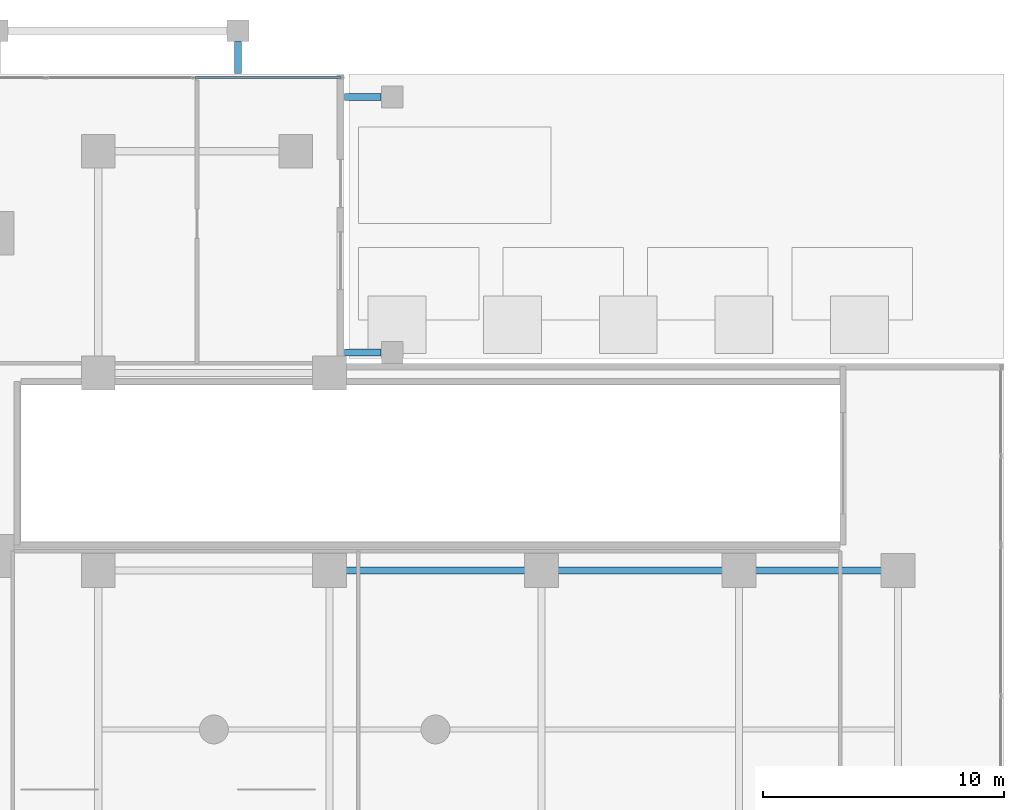
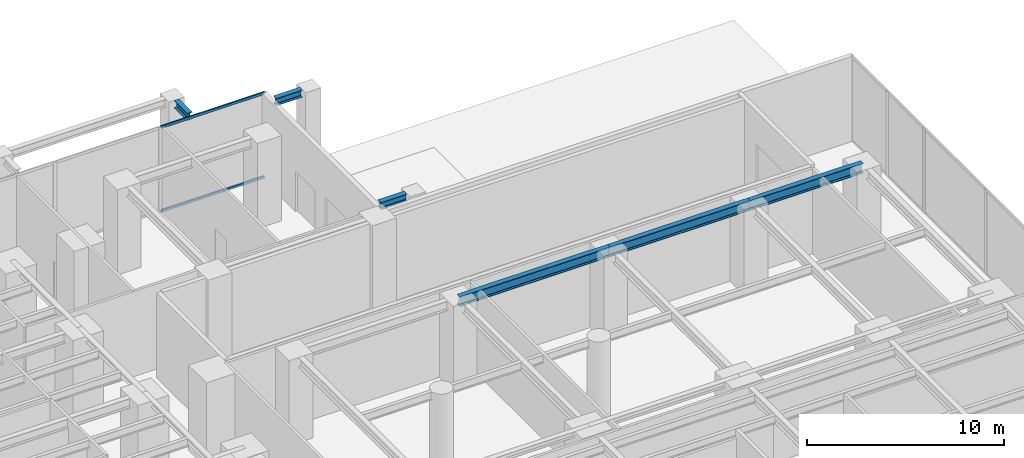
# One storey, part 5 of 17: 6 beams, 2 members, 1 element without a shape of its own.
"""IFC4 building model written with IfcOpenShell, lengths in metres."""

from ifc_helpers import new_model, si_unit, direction, frame, origin, origin_with_axes, origin_2d, place, context, subcontext, project, spatial, hollow_rectangle, i_section, extrude, source, transform, mapped, material, layer, layer_set, material_profile, profile_set, type_object, element, aggregate, save


model = new_model("IFC4")

# Units and contexts
model_context = context("Model", 3, precision=1e-05, world=origin(), true_north=direction((0.0, 1.0)))
body_context = subcontext(model_context, "Body", "Model", "MODEL_VIEW")
ifc_project = project(units=[si_unit("LENGTHUNIT", "METRE"), si_unit("AREAUNIT", "SQUARE_METRE"), si_unit("VOLUMEUNIT", "CUBIC_METRE"), si_unit("PLANEANGLEUNIT", "RADIAN"), si_unit("MASSUNIT", "GRAM", prefix="KILO")], contexts=[model_context])

# Site, building, storey
site_placement = place(None, origin())
site = spatial("IfcSite", under=ifc_project, at=site_placement, CompositionType="ELEMENT")
building_placement = place(site_placement, origin())
building = spatial("IfcBuilding", under=site, at=building_placement, Name="Kolvaren Waterfront Exchange", CompositionType="ELEMENT")
storey_placement = place(building_placement, origin())
storey = spatial("IfcBuildingStorey", under=building, at=storey_placement, Name="L01", CompositionType="ELEMENT", Elevation=0.0)

# Beams
ifc_material_1 = material(Name="Steel S355", Category="steel")
ifc_material_profile_1 = material_profile(ifc_material_1, i_section(OverallWidth=0.300048828125, OverallDepth=0.449951171875, WebThickness=0.013916015625, FlangeThickness=0.02587890625, FilletRadius=0.027099609375, at=origin_2d()), Name="HEB450")
ifc_profile_set_1 = profile_set([ifc_material_profile_1], Name="Steel S355")
beam_type_1 = type_object("IfcBeamType", Name="STR-BM-HEB450", PredefinedType="BEAM", material=ifc_profile_set_1)
beam_1_placement = place(storey_placement, frame((33.0, 52.548095703125, 5.1650390625), z_axis=(0.0, -1.0, 0.0), x_axis=(1.0, 0.0, 0.0)))
element("IfcBeam", 1, at=beam_1_placement, inside=storey, type_object=beam_type_1, Name="L01 north portico tie beam 2", PredefinedType="BEAM", context=body_context, shape_type="SweptSolid", body=[
    extrude(i_section(OverallWidth=0.300048828125, OverallDepth=0.449951171875, WebThickness=0.013916015625, FlangeThickness=0.02587890625, FilletRadius=0.027099609375, at=origin_2d()), origin(), (0.0, 0.0, 1.0), 1.328125),
])
for number, where, z_axis, x_axis, name in (
    (2, (37.419921875, 39.64990234375, 5.1650390625), (1.0, 0.0, 0.0), (0.0, 1.0, 0.0), "L01 waterfront canopy tie beam 1"),
    (3, (37.419921875, 50.25, 5.1650390625), (1.0, 0.0, 0.0), (0.0, 1.0, 0.0), "L01 waterfront canopy tie beam 2"),
):
    element("IfcBeam", number, at=place(storey_placement, frame(where, z_axis=z_axis, x_axis=x_axis)), inside=storey, type_object=beam_type_1, Name=name, PredefinedType="BEAM", context=body_context, shape_type="SweptSolid", body=[
        extrude(i_section(OverallWidth=0.300048828125, OverallDepth=0.449951171875, WebThickness=0.013916015625, FlangeThickness=0.02587890625, FilletRadius=0.027099609375, at=origin_2d()), origin(), (0.0, 0.0, 1.0), 1.528076171875),
    ])
ifc_material_profile_2 = material_profile(ifc_material_1, i_section(OverallWidth=0.300048828125, OverallDepth=0.60009765625, WebThickness=0.015380859375, FlangeThickness=0.030029296875, FilletRadius=0.027099609375, at=origin_2d()), Name="HEB600")
ifc_profile_set_2 = profile_set([ifc_material_profile_2], Name="Steel S355")
beam_type_2 = type_object("IfcBeamType", Name="STR-BM-HEB600", PredefinedType="BEAM", material=ifc_profile_set_2)
beam_2_placement = place(storey_placement, frame((36.800048828125, 30.60009765625, 4.9599609375), z_axis=(1.0, 0.0, 0.0), x_axis=(0.0, 1.0, 0.0)))
element("IfcBeam", 4, at=beam_2_placement, inside=storey, type_object=beam_type_2, Name="L01 podium longitudinal beam 2", PredefinedType="BEAM", context=body_context, shape_type="SweptSolid", body=[
    extrude(i_section(OverallWidth=0.300048828125, OverallDepth=0.60009765625, WebThickness=0.015380859375, FlangeThickness=0.030029296875, FilletRadius=0.027099609375, at=origin_2d()), origin(), (0.0, 0.0, 1.0), 8.800048828125),
])
beam_3_placement = place(storey_placement, frame((45.60009765625, 30.60009765625, 4.9599609375), z_axis=(1.0, 0.0, 0.0), x_axis=(0.0, 1.0, 0.0)))
element("IfcBeam", 5, at=beam_3_placement, inside=storey, type_object=beam_type_2, Name="L01 podium longitudinal beam 3", PredefinedType="BEAM", context=body_context, shape_type="SweptSolid", body=[
    extrude(i_section(OverallWidth=0.300048828125, OverallDepth=0.60009765625, WebThickness=0.015380859375, FlangeThickness=0.030029296875, FilletRadius=0.027099609375, at=origin_2d()), origin(), (0.0, 0.0, 1.0), 8.199951171875),
])
beam_4_placement = place(storey_placement, frame((53.800048828125, 30.60009765625, 4.9599609375), z_axis=(1.0, 0.0, 0.0), x_axis=(0.0, 1.0, 0.0)))
element("IfcBeam", 6, at=beam_4_placement, inside=storey, type_object=beam_type_2, Name="L01 podium longitudinal beam 4", PredefinedType="BEAM", context=body_context, shape_type="SweptSolid", body=[
    extrude(i_section(OverallWidth=0.300048828125, OverallDepth=0.60009765625, WebThickness=0.015380859375, FlangeThickness=0.030029296875, FilletRadius=0.027099609375, at=origin_2d()), origin(), (0.0, 0.0, 1.0), 6.599853515625),
])

# Curtain wall, members
ifc_material_2 = material(Name="Anodised bronze aluminium 6063-T6", Category="aluminium")
ifc_layer = layer(ifc_material_2, 0.219970703125, Name="Anodised bronze aluminium 6063-T6")
ifc_layer_set = layer_set([ifc_layer], Name="Anodised bronze aluminium 6063-T6")
curtain_wall_type = type_object("IfcCurtainWallType", Name="ARC-CW-SYS4", PredefinedType="USERDEFINED", material=ifc_layer_set)
curtain_wall_placement = place(storey_placement, origin())
curtain_wall = element("IfcCurtainWall", 7, at=curtain_wall_placement, inside=storey, type_object=curtain_wall_type, Name="L01 stick curtain wall CW4 (CW-L01-N2)", ObjectType="STICK CURTAIN WALL", PredefinedType="USERDEFINED")
ifc_material_3 = material(Name="Anodised aluminium 6063-T6", Category="aluminium")
ifc_material_profile_3 = material_profile(ifc_material_3, hollow_rectangle(XDim=0.074951171875, YDim=0.159912109375, WallThickness=0.00439453125, at=origin_2d()), Name="ALU-TRN-160x75x4.5")
ifc_profile_set_3 = profile_set([ifc_material_profile_3], Name="Anodised aluminium 6063-T6")
member_type = type_object("IfcMemberType", Name="ARC-CWT-160", PredefinedType="USERDEFINED", material=ifc_profile_set_3)
shared_shape = source(origin_with_axes(), body_context, "Body", "SweptSolid", [
    extrude(hollow_rectangle(XDim=0.074951171875, YDim=0.159912109375, WallThickness=0.00439453125, at=origin_2d()), origin(), (0.0, 0.0, 1.0), 6.046630859375),
])
member_1_placement = place(storey_placement, frame((37.27001953125, 51.06005859375, 0.03759765625), z_axis=(-1.0, 0.0, 0.0), x_axis=(0.0, -1.0, 0.0)))
member_1 = element("IfcMember", 8, at=member_1_placement, type_object=member_type, Name="CW4 transom 1.1", ObjectType="TRANSOM", PredefinedType="USERDEFINED", context=body_context, shape_type="MappedRepresentation", body=[
    mapped(shared_shape, transform((0.0, 0.0, 0.0), x_axis=(1.0, 0.0, 0.0), y_axis=(0.0, 1.0, 0.0), z_axis=(0.0, 0.0, 1.0), scale=1.0)),
])
member_2_placement = place(storey_placement, frame((37.27001953125, 51.06005859375, 5.222412109375), z_axis=(-1.0, 0.0, 0.0), x_axis=(0.0, -1.0, 0.0)))
member_2 = element("IfcMember", 9, at=member_2_placement, type_object=member_type, Name="CW4 transom 1.2", ObjectType="TRANSOM", PredefinedType="USERDEFINED", context=body_context, shape_type="MappedRepresentation", body=[
    mapped(shared_shape, transform((0.0, 0.0, 0.0), x_axis=(1.0, 0.0, 0.0), y_axis=(0.0, 1.0, 0.0), z_axis=(0.0, 0.0, 1.0), scale=1.0)),
])
aggregate(curtain_wall, [member_1, member_2])

save(model, "model.ifc")
